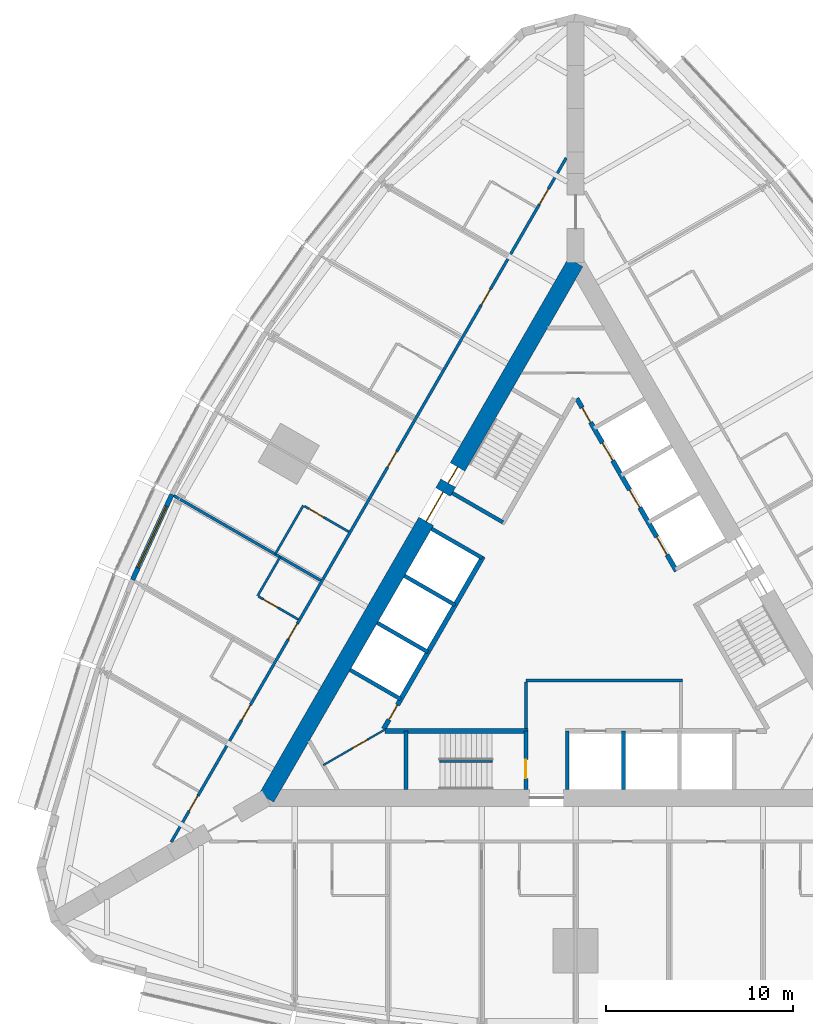
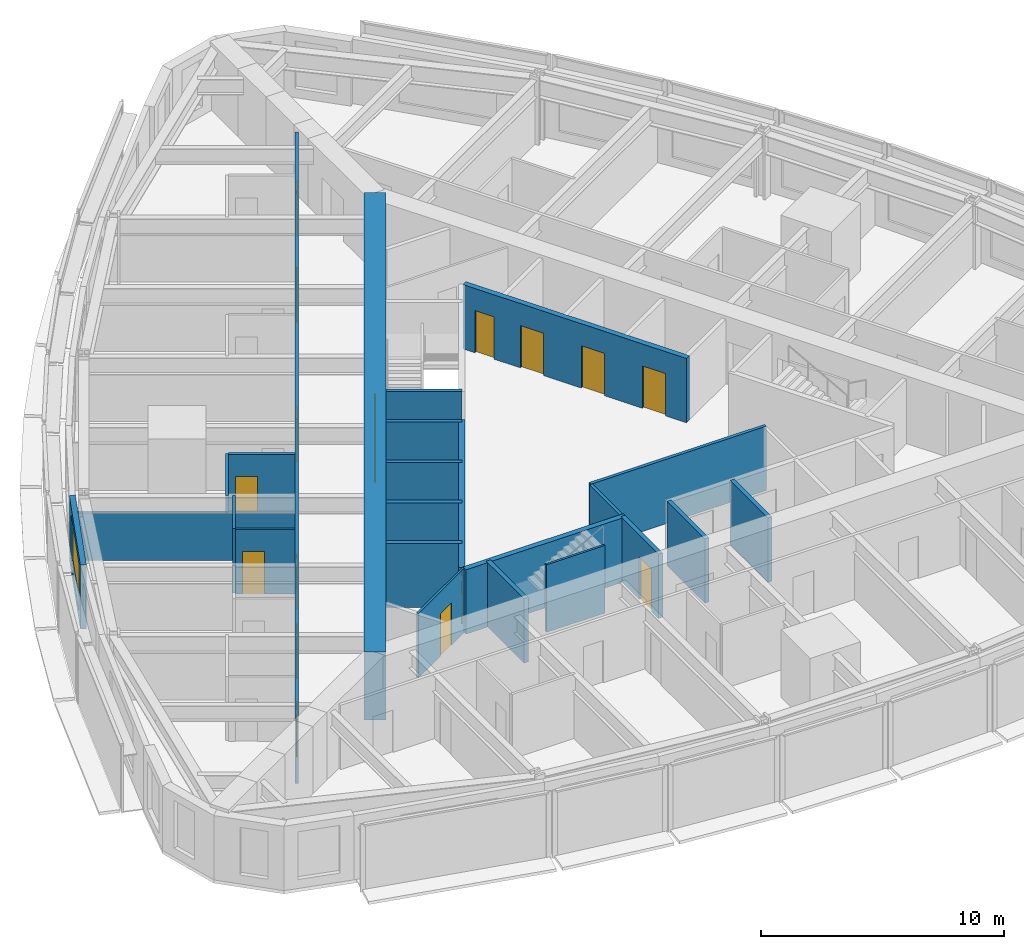
# One storey, part 9 of 14: 24 walls, 17 doors, 1 window, 18 openings.
"""IFC4 building model written with IfcOpenShell, lengths in metres."""

from ifc_helpers import new_model, si_unit, direction, frame, frame_2d, origin, place, context, subcontext, project, spatial, rectangle, extrude, material, layer, layer_set, type_object, element, fill, save


model = new_model("IFC4")

# Units and contexts
model_context = context("Model", 3, precision=1e-05, world=origin(), true_north=direction((0.0, 1.0)))
body_context = subcontext(model_context, "Body", "Model", "MODEL_VIEW")
ifc_project = project(units=[si_unit("LENGTHUNIT", "METRE"), si_unit("AREAUNIT", "SQUARE_METRE"), si_unit("VOLUMEUNIT", "CUBIC_METRE"), si_unit("PLANEANGLEUNIT", "RADIAN"), si_unit("MASSUNIT", "GRAM", prefix="KILO")], contexts=[model_context])

# Site, building, storey
site_placement = place(None, origin())
site = spatial("IfcSite", under=ifc_project, at=site_placement, CompositionType="ELEMENT")
building_placement = place(site_placement, origin())
building = spatial("IfcBuilding", under=site, at=building_placement, Name="Trikona Tower", CompositionType="ELEMENT")
storey_placement = place(building_placement, frame((0.0, 0.0, 96.5)))
storey = spatial("IfcBuildingStorey", under=building, at=storey_placement, Name="L25", CompositionType="ELEMENT", Elevation=96.5)

# Wall
ifc_material_1 = material(Name="Metal stud and cement board", Category="gypsum")
ifc_layer_1 = layer(ifc_material_1, 0.1201171875)
ifc_layer_set_1 = layer_set([ifc_layer_1], Name="Bathroom wall 120")
wall_type_1 = type_object("IfcWallType", Name="Bathroom wall 120", PredefinedType="PLUMBINGWALL", material=ifc_layer_set_1)
wall_1_placement = place(storey_placement, frame((-14.53271484375, 6.0810546875, 0.0), z_axis=(0.0, 0.0, 1.0), x_axis=(-0.499990139034, -0.866031096941, 0.0)))
element("IfcWall", 1, at=wall_1_placement, inside=storey, type_object=wall_type_1, Name="Bathroom wall 2511.1", PredefinedType="PLUMBINGWALL", context=body_context, shape_type="SweptSolid", body=[
    extrude(rectangle(XDim=3.0, YDim=0.1201171875, at=frame_2d((1.5, 0.0))), origin(), (0.0, 0.0, 1.0), 3.235107421875),
])

# Wall, opening, door
wall_2_placement = place(storey_placement, frame((-12.10791015625, 4.68115234375, 0.0), z_axis=(0.0, 0.0, 1.0), x_axis=(-0.866035715982, 0.499982138324, 0.0)))
wall_2 = element("IfcWall", 2, at=wall_2_placement, inside=storey, type_object=wall_type_1, Name="Bathroom wall 2511.1", PredefinedType="PLUMBINGWALL", context=body_context, shape_type="SweptSolid", body=[
    extrude(rectangle(XDim=2.73974609375, YDim=0.1201171875, at=frame_2d((1.369873046875, 0.0))), origin(), (0.0, 0.0, 1.0), 3.235107421875),
])
opening_1_placement = place(wall_2_placement, frame((1.550048828125, 0.0, 0.0)))
opening_1 = element("IfcOpeningElement", 3, at=opening_1_placement, cuts=wall_2, Name="Opening D2", PredefinedType="OPENING", context=body_context, shape_type="SweptSolid", body=[
    extrude(rectangle(XDim=0.89990234375, YDim=2.1298828125, at=frame_2d((0.449951171875, 1.06494140625))), frame((0.0, 0.070068359375, 0.0), z_axis=(0.0, -1.0, 0.0), x_axis=(1.0, 0.0, 0.0)), (0.0, 0.0, 1.0), 0.14013671875),
])
ifc_material_2 = material(Name="Steel door frame with solid-core timber leaf", Category="steel")
door_type_1 = type_object("IfcDoorType", Name="Bathroom door 900x2130", OperationType="SLIDING_TO_LEFT", PredefinedType="DOOR", material=ifc_material_2)
door_1_placement = place(opening_1_placement, origin())
door_1 = element("IfcDoor", 4, at=door_1_placement, inside=storey, type_object=door_type_1, Name="Bathroom door 2511.1", OperationType="SLIDING_TO_LEFT", OverallHeight=2.1298828125, OverallWidth=0.89990234375, PredefinedType="DOOR", context=body_context, shape_type="SweptSolid", body=[
    extrude(rectangle(XDim=0.89990234375, YDim=2.1298828125, at=frame_2d((0.449951171875, 1.06494140625))), frame((0.0, 0.02490234375, 0.0), z_axis=(0.0, -1.0, 0.0), x_axis=(1.0, 0.0, 0.0)), (0.0, 0.0, 1.0), 0.050048828125),
])
fill(opening_1, door_1)

# Wall
wall_3_placement = place(storey_placement, frame((-15.77294921875, 3.3330078125, 0.0), z_axis=(0.0, 0.0, 1.0), x_axis=(-0.500001309137, -0.866024647952, 0.0)))
element("IfcWall", 5, at=wall_3_placement, inside=storey, type_object=wall_type_1, Name="Bathroom wall 2512", PredefinedType="PLUMBINGWALL", context=body_context, shape_type="SweptSolid", body=[
    extrude(rectangle(XDim=2.39990234375, YDim=0.1201171875, at=frame_2d((1.199951171875, 0.0))), origin(), (0.0, 0.0, 1.0), 3.235107421875),
])

# Wall, opening, door
wall_4_placement = place(storey_placement, frame((-14.807861328125, 0.004638671875, 0.0), z_axis=(0.0, 0.0, 1.0), x_axis=(-0.866023955769, 0.500002508028, 0.0)))
wall_4 = element("IfcWall", 6, at=wall_4_placement, inside=storey, type_object=wall_type_1, Name="Bathroom wall 2512", PredefinedType="PLUMBINGWALL", context=body_context, shape_type="SweptSolid", body=[
    extrude(rectangle(XDim=2.43994140625, YDim=0.1201171875, at=frame_2d((1.219970703125, 0.0))), origin(), (0.0, 0.0, 1.0), 3.235107421875),
])
opening_2_placement = place(wall_4_placement, frame((1.25, 0.0, 0.0)))
opening_2 = element("IfcOpeningElement", 7, at=opening_2_placement, cuts=wall_4, Name="Opening D2", PredefinedType="OPENING", context=body_context, shape_type="SweptSolid", body=[
    extrude(rectangle(XDim=0.89990234375, YDim=2.1298828125, at=frame_2d((0.449951171875, 1.06494140625))), frame((0.0, 0.070068359375, 0.0), z_axis=(0.0, -1.0, 0.0), x_axis=(1.0, 0.0, 0.0)), (0.0, 0.0, 1.0), 0.14013671875),
])
door_2_placement = place(opening_2_placement, origin())
door_2 = element("IfcDoor", 8, at=door_2_placement, inside=storey, type_object=door_type_1, Name="Bathroom door 2512", OperationType="SLIDING_TO_LEFT", OverallHeight=2.1298828125, OverallWidth=0.89990234375, PredefinedType="DOOR", context=body_context, shape_type="SweptSolid", body=[
    extrude(rectangle(XDim=0.89990234375, YDim=2.1298828125, at=frame_2d((0.449951171875, 1.06494140625))), frame((0.0, 0.02490234375, 0.0), z_axis=(0.0, -1.0, 0.0), x_axis=(1.0, 0.0, 0.0)), (0.0, 0.0, 1.0), 0.050048828125),
])
fill(opening_2, door_2)

# Wall, openings, doors
ifc_material_3 = material(Name="Concrete f'c 10000 psi", Category="concrete")
ifc_layer_2 = layer(ifc_material_3, 0.89990234375)
ifc_layer_set_2 = layer_set([ifc_layer_2], Name="Core wall 900")
wall_type_2 = type_object("IfcWallType", Name="Core wall 900", PredefinedType="SHEAR", material=ifc_layer_set_2)
wall_5_placement = place(storey_placement, frame((0.0, 19.052490234375, 0.0), z_axis=(0.0, 0.0, 1.0), x_axis=(-0.499999749417, -0.866025548458, 0.0)))
wall_5 = element("IfcWall", 9, at=wall_5_placement, inside=storey, type_object=wall_type_2, Name="Core wall C", PredefinedType="SHEAR", context=body_context, shape_type="SweptSolid", body=[
    extrude(rectangle(XDim=33.0, YDim=0.89990234375, at=frame_2d((16.5, 0.0))), origin(), (0.0, 0.0, 1.0), 3.39990234375),
])
opening_3_placement = place(wall_5_placement, frame((14.14990234375, 0.0, 0.0)))
opening_3 = element("IfcOpeningElement", 10, at=opening_3_placement, cuts=wall_5, Name="Opening D6", PredefinedType="OPENING", context=body_context, shape_type="SweptSolid", body=[
    extrude(rectangle(XDim=1.800048828125, YDim=2.1298828125, at=frame_2d((0.89990234375, 1.06494140625))), frame((0.0, 0.4599609375, 0.0), z_axis=(0.0, -1.0, 0.0), x_axis=(1.0, 0.0, 0.0)), (0.0, 0.0, 1.0), 0.919921875),
])
opening_4_placement = place(wall_5_placement, frame((12.60009765625, 0.0, 0.0)))
opening_4 = element("IfcOpeningElement", 11, at=opening_4_placement, cuts=wall_5, Name="Opening D5", PredefinedType="OPENING", context=body_context, shape_type="SweptSolid", body=[
    extrude(rectangle(XDim=1.0, YDim=2.1298828125, at=frame_2d((0.5, 1.06494140625))), frame((0.0, 0.4599609375, 0.0), z_axis=(0.0, -1.0, 0.0), x_axis=(1.0, 0.0, 0.0)), (0.0, 0.0, 1.0), 0.919921875),
])
ifc_material_4 = material(Name="Hollow metal door and frame", Category="steel")
door_type_2 = type_object("IfcDoorType", Name="Lobby door pair 1800x2130", OperationType="DOUBLE_DOOR_SINGLE_SWING", PredefinedType="DOOR", material=ifc_material_4)
door_3_placement = place(opening_3_placement, origin())
door_3 = element("IfcDoor", 12, at=door_3_placement, inside=storey, type_object=door_type_2, Name="Lift lobby door C", OperationType="DOUBLE_DOOR_SINGLE_SWING", OverallHeight=2.1298828125, OverallWidth=1.800048828125, PredefinedType="DOOR", context=body_context, shape_type="SweptSolid", body=[
    extrude(rectangle(XDim=1.800048828125, YDim=2.1298828125, at=frame_2d((0.89990234375, 1.06494140625))), frame((0.0, 0.02490234375, 0.0), z_axis=(0.0, -1.0, 0.0), x_axis=(1.0, 0.0, 0.0)), (0.0, 0.0, 1.0), 0.050048828125),
])
fill(opening_3, door_3)
ifc_material_5 = material(Name="Hollow metal door and frame", Category="steel")
door_type_3 = type_object("IfcDoorType", Name="Stair door 1000x2130", OperationType="SINGLE_SWING_LEFT", PredefinedType="DOOR", material=ifc_material_5)
door_4_placement = place(opening_4_placement, origin())
door_4 = element("IfcDoor", 13, at=door_4_placement, inside=storey, type_object=door_type_3, Name="Stair C door", OperationType="SINGLE_SWING_RIGHT", OverallHeight=2.1298828125, OverallWidth=1.0, PredefinedType="DOOR", context=body_context, shape_type="SweptSolid", body=[
    extrude(rectangle(XDim=1.0, YDim=2.1298828125, at=frame_2d((0.5, 1.06494140625))), frame((0.0, 0.02490234375, 0.0), z_axis=(0.0, -1.0, 0.0), x_axis=(1.0, 0.0, 0.0)), (0.0, 0.0, 1.0), 0.050048828125),
])
fill(opening_4, door_4)

ifc_material_6 = material(Name="Metal stud and gypsum board, 1-hour", Category="gypsum")
ifc_layer_3 = layer(ifc_material_6, 0.14990234375)
ifc_layer_set_3 = layer_set([ifc_layer_3], Name="Corridor wall 150")
wall_type_3 = type_object("IfcWallType", Name="Corridor wall 150", PredefinedType="PARTITIONING", material=ifc_layer_set_3)
wall_6_placement = place(storey_placement, frame((-0.5, 24.636474609375, 0.0), z_axis=(0.0, 0.0, 1.0), x_axis=(-0.500001915564, -0.86602429783, 0.0)))
wall_6 = element("IfcWall", 14, at=wall_6_placement, inside=storey, type_object=wall_type_3, Name="Corridor wall L25-3", PredefinedType="PARTITIONING", context=body_context, shape_type="SweptSolid", body=[
    extrude(rectangle(XDim=42.171630859375, YDim=0.14990234375, at=frame_2d((21.0859375, 0.0))), origin(), (0.0, 0.0, 1.0), 3.235107421875),
])
opening_5_placement = place(wall_6_placement, frame((1.910888671875, 0.0, 0.0)))
opening_5 = element("IfcOpeningElement", 15, at=opening_5_placement, cuts=wall_6, Name="Opening D1", PredefinedType="OPENING", context=body_context, shape_type="SweptSolid", body=[
    extrude(rectangle(XDim=0.949951171875, YDim=2.1298828125, at=frame_2d((0.47509765625, 1.06494140625))), frame((0.0, 0.0849609375, 0.0), z_axis=(0.0, -1.0, 0.0), x_axis=(1.0, 0.0, 0.0)), (0.0, 0.0, 1.0), 0.169921875),
])
opening_6_placement = place(wall_6_placement, frame((8.11083984375, 0.0, 0.0)))
opening_6 = element("IfcOpeningElement", 16, at=opening_6_placement, cuts=wall_6, Name="Opening D1", PredefinedType="OPENING", context=body_context, shape_type="SweptSolid", body=[
    extrude(rectangle(XDim=0.949951171875, YDim=2.1298828125, at=frame_2d((0.47509765625, 1.06494140625))), frame((0.0, 0.0849609375, 0.0), z_axis=(0.0, -1.0, 0.0), x_axis=(1.0, 0.0, 0.0)), (0.0, 0.0, 1.0), 0.169921875),
])
opening_7_placement = place(wall_6_placement, frame((18.11083984375, 0.0, 0.0)))
opening_7 = element("IfcOpeningElement", 17, at=opening_7_placement, cuts=wall_6, Name="Opening D1", PredefinedType="OPENING", context=body_context, shape_type="SweptSolid", body=[
    extrude(rectangle(XDim=0.949951171875, YDim=2.1298828125, at=frame_2d((0.47509765625, 1.06494140625))), frame((0.0, 0.0849609375, 0.0), z_axis=(0.0, -1.0, 0.0), x_axis=(1.0, 0.0, 0.0)), (0.0, 0.0, 1.0), 0.169921875),
])
opening_8_placement = place(wall_6_placement, frame((28.7109375, 0.0, 0.0)))
opening_8 = element("IfcOpeningElement", 18, at=opening_8_placement, cuts=wall_6, Name="Opening D1", PredefinedType="OPENING", context=body_context, shape_type="SweptSolid", body=[
    extrude(rectangle(XDim=0.949951171875, YDim=2.1298828125, at=frame_2d((0.47509765625, 1.06494140625))), frame((0.0, 0.0849609375, 0.0), z_axis=(0.0, -1.0, 0.0), x_axis=(1.0, 0.0, 0.0)), (0.0, 0.0, 1.0), 0.169921875),
])
opening_9_placement = place(wall_6_placement, frame((33.7109375, 0.0, 0.0)))
opening_9 = element("IfcOpeningElement", 19, at=opening_9_placement, cuts=wall_6, Name="Opening D1", PredefinedType="OPENING", context=body_context, shape_type="SweptSolid", body=[
    extrude(rectangle(XDim=0.949951171875, YDim=2.1298828125, at=frame_2d((0.47509765625, 1.06494140625))), frame((0.0, 0.0849609375, 0.0), z_axis=(0.0, -1.0, 0.0), x_axis=(1.0, 0.0, 0.0)), (0.0, 0.0, 1.0), 0.169921875),
])
opening_10_placement = place(wall_6_placement, frame((39.310791015625, 0.0, 0.0)))
opening_10 = element("IfcOpeningElement", 20, at=opening_10_placement, cuts=wall_6, Name="Opening D1", PredefinedType="OPENING", context=body_context, shape_type="SweptSolid", body=[
    extrude(rectangle(XDim=0.949951171875, YDim=2.1298828125, at=frame_2d((0.47509765625, 1.06494140625))), frame((0.0, 0.0849609375, 0.0), z_axis=(0.0, -1.0, 0.0), x_axis=(1.0, 0.0, 0.0)), (0.0, 0.0, 1.0), 0.169921875),
])
ifc_material_7 = material(Name="Steel door frame with solid-core timber leaf", Category="steel")
door_type_4 = type_object("IfcDoorType", Name="Guest room door 950x2130", OperationType="SINGLE_SWING_LEFT", PredefinedType="DOOR", material=ifc_material_7)
door_5_placement = place(opening_5_placement, origin())
door_5 = element("IfcDoor", 21, at=door_5_placement, inside=storey, type_object=door_type_4, Name="Room door 2509", OperationType="SINGLE_SWING_LEFT", OverallHeight=2.1298828125, OverallWidth=0.949951171875, PredefinedType="DOOR", context=body_context, shape_type="SweptSolid", body=[
    extrude(rectangle(XDim=0.949951171875, YDim=2.1298828125, at=frame_2d((0.47509765625, 1.06494140625))), frame((0.0, 0.02490234375, 0.0), z_axis=(0.0, -1.0, 0.0), x_axis=(1.0, 0.0, 0.0)), (0.0, 0.0, 1.0), 0.050048828125),
])
fill(opening_5, door_5)
door_6_placement = place(opening_6_placement, origin())
door_6 = element("IfcDoor", 22, at=door_6_placement, inside=storey, type_object=door_type_4, Name="Room door 2510", OperationType="SINGLE_SWING_RIGHT", OverallHeight=2.1298828125, OverallWidth=0.949951171875, PredefinedType="DOOR", context=body_context, shape_type="SweptSolid", body=[
    extrude(rectangle(XDim=0.949951171875, YDim=2.1298828125, at=frame_2d((0.47509765625, 1.06494140625))), frame((0.0, 0.02490234375, 0.0), z_axis=(0.0, -1.0, 0.0), x_axis=(1.0, 0.0, 0.0)), (0.0, 0.0, 1.0), 0.050048828125),
])
fill(opening_6, door_6)
door_7_placement = place(opening_7_placement, origin())
door_7 = element("IfcDoor", 23, at=door_7_placement, inside=storey, type_object=door_type_4, Name="Room door 2511", OperationType="SINGLE_SWING_LEFT", OverallHeight=2.1298828125, OverallWidth=0.949951171875, PredefinedType="DOOR", context=body_context, shape_type="SweptSolid", body=[
    extrude(rectangle(XDim=0.949951171875, YDim=2.1298828125, at=frame_2d((0.47509765625, 1.06494140625))), frame((0.0, 0.02490234375, 0.0), z_axis=(0.0, -1.0, 0.0), x_axis=(1.0, 0.0, 0.0)), (0.0, 0.0, 1.0), 0.050048828125),
])
fill(opening_7, door_7)
door_8_placement = place(opening_8_placement, origin())
door_8 = element("IfcDoor", 24, at=door_8_placement, inside=storey, type_object=door_type_4, Name="Room door 2512", OperationType="SINGLE_SWING_RIGHT", OverallHeight=2.1298828125, OverallWidth=0.949951171875, PredefinedType="DOOR", context=body_context, shape_type="SweptSolid", body=[
    extrude(rectangle(XDim=0.949951171875, YDim=2.1298828125, at=frame_2d((0.47509765625, 1.06494140625))), frame((0.0, 0.02490234375, 0.0), z_axis=(0.0, -1.0, 0.0), x_axis=(1.0, 0.0, 0.0)), (0.0, 0.0, 1.0), 0.050048828125),
])
fill(opening_8, door_8)
door_9_placement = place(opening_9_placement, origin())
door_9 = element("IfcDoor", 25, at=door_9_placement, inside=storey, type_object=door_type_4, Name="Room door 2513", OperationType="SINGLE_SWING_LEFT", OverallHeight=2.1298828125, OverallWidth=0.949951171875, PredefinedType="DOOR", context=body_context, shape_type="SweptSolid", body=[
    extrude(rectangle(XDim=0.949951171875, YDim=2.1298828125, at=frame_2d((0.47509765625, 1.06494140625))), frame((0.0, 0.02490234375, 0.0), z_axis=(0.0, -1.0, 0.0), x_axis=(1.0, 0.0, 0.0)), (0.0, 0.0, 1.0), 0.050048828125),
])
fill(opening_9, door_9)
door_10_placement = place(opening_10_placement, origin())
door_10 = element("IfcDoor", 26, at=door_10_placement, inside=storey, type_object=door_type_4, Name="Room door 2514", OperationType="SINGLE_SWING_RIGHT", OverallHeight=2.1298828125, OverallWidth=0.949951171875, PredefinedType="DOOR", context=body_context, shape_type="SweptSolid", body=[
    extrude(rectangle(XDim=0.949951171875, YDim=2.1298828125, at=frame_2d((0.47509765625, 1.06494140625))), frame((0.0, 0.02490234375, 0.0), z_axis=(0.0, -1.0, 0.0), x_axis=(1.0, 0.0, 0.0)), (0.0, 0.0, 1.0), 0.050048828125),
])
fill(opening_10, door_10)

# Wall
ifc_material_8 = material(Name="Concrete f'c 8000 psi", Category="concrete")
ifc_layer_4 = layer(ifc_material_8, 0.25)
ifc_layer_set_4 = layer_set([ifc_layer_4], Name="Hub wall 250")
wall_type_4 = type_object("IfcWallType", Name="Hub wall 250", PredefinedType="SOLIDWALL", material=ifc_layer_set_4)
wall_7_placement = place(storey_placement, frame((-10.182861328125, -5.951416015625, 0.0), z_axis=(0.0, 0.0, 1.0), x_axis=(1.0, 0.0, 0.0)))
element("IfcWall", 27, at=wall_7_placement, inside=storey, type_object=wall_type_4, Name="Lift lobby wall A1", PredefinedType="SOLIDWALL", context=body_context, shape_type="SweptSolid", body=[
    extrude(rectangle(XDim=7.6328125, YDim=0.25, at=frame_2d((3.81640625, 0.0))), origin(), (0.0, 0.0, 1.0), 3.235107421875),
])

# Wall, openings, doors
wall_8_placement = place(storey_placement, frame((5.37890625, 2.5859375, 0.0), z_axis=(0.0, 0.0, 1.0), x_axis=(-0.500001375892, 0.866024609411, 0.0)))
wall_8 = element("IfcWall", 28, at=wall_8_placement, inside=storey, type_object=wall_type_4, Name="Lift lobby wall B2", PredefinedType="SOLIDWALL", context=body_context, shape_type="SweptSolid", body=[
    extrude(rectangle(XDim=10.6328125, YDim=0.25, at=frame_2d((5.31640625, 0.0))), origin(), (0.0, 0.0, 1.0), 3.235107421875),
])
opening_11_placement = place(wall_8_placement, frame((9.1640625, 0.0, 0.0)))
opening_11 = element("IfcOpeningElement", 29, at=opening_11_placement, cuts=wall_8, Name="Opening D14", PredefinedType="OPENING", context=body_context, shape_type="SweptSolid", body=[
    extrude(rectangle(XDim=0.89990234375, YDim=2.1298828125, at=frame_2d((0.449951171875, 1.06494140625))), frame((0.0, 0.135009765625, 0.0), z_axis=(0.0, -1.0, 0.0), x_axis=(1.0, 0.0, 0.0)), (0.0, 0.0, 1.0), 0.27001953125),
])
opening_12_placement = place(wall_8_placement, frame((1.0, 0.0, 0.0)))
opening_12 = element("IfcOpeningElement", 30, at=opening_12_placement, cuts=wall_8, Name="Opening LD", PredefinedType="OPENING", context=body_context, shape_type="SweptSolid", body=[
    extrude(rectangle(XDim=1.10009765625, YDim=2.1298828125, at=frame_2d((0.550048828125, 1.06494140625))), frame((0.0, 0.135009765625, 0.0), z_axis=(0.0, -1.0, 0.0), x_axis=(1.0, 0.0, 0.0)), (0.0, 0.0, 1.0), 0.27001953125),
])
opening_13_placement = place(wall_8_placement, frame((3.89990234375, 0.0, 0.0)))
opening_13 = element("IfcOpeningElement", 31, at=opening_13_placement, cuts=wall_8, Name="Opening LD", PredefinedType="OPENING", context=body_context, shape_type="SweptSolid", body=[
    extrude(rectangle(XDim=1.10009765625, YDim=2.1298828125, at=frame_2d((0.550048828125, 1.06494140625))), frame((0.0, 0.135009765625, 0.0), z_axis=(0.0, -1.0, 0.0), x_axis=(1.0, 0.0, 0.0)), (0.0, 0.0, 1.0), 0.27001953125),
])
opening_14_placement = place(wall_8_placement, frame((6.800048828125, 0.0, 0.0)))
opening_14 = element("IfcOpeningElement", 32, at=opening_14_placement, cuts=wall_8, Name="Opening LD", PredefinedType="OPENING", context=body_context, shape_type="SweptSolid", body=[
    extrude(rectangle(XDim=1.10009765625, YDim=2.1298828125, at=frame_2d((0.550048828125, 1.06494140625))), frame((0.0, 0.135009765625, 0.0), z_axis=(0.0, -1.0, 0.0), x_axis=(1.0, 0.0, 0.0)), (0.0, 0.0, 1.0), 0.27001953125),
])
ifc_material_9 = material(Name="Stainless steel lift landing door", Category="steel")
door_type_5 = type_object("IfcDoorType", Name="Lift landing door 1100x2130", OperationType="DOUBLE_DOOR_SLIDING", PredefinedType="USERDEFINED", material=ifc_material_9)
door_11_placement = place(opening_12_placement, origin())
door_11 = element("IfcDoor", 33, at=door_11_placement, inside=storey, type_object=door_type_5, Name="Lift landing door L1-1", ObjectType="LIFT LANDING DOOR", OperationType="DOUBLE_DOOR_SLIDING", OverallHeight=2.1298828125, OverallWidth=1.10009765625, PredefinedType="USERDEFINED", context=body_context, shape_type="SweptSolid", body=[
    extrude(rectangle(XDim=1.10009765625, YDim=2.1298828125, at=frame_2d((0.550048828125, 1.06494140625))), frame((0.0, 0.02490234375, 0.0), z_axis=(0.0, -1.0, 0.0), x_axis=(1.0, 0.0, 0.0)), (0.0, 0.0, 1.0), 0.050048828125),
])
fill(opening_12, door_11)
door_12_placement = place(opening_13_placement, origin())
door_12 = element("IfcDoor", 34, at=door_12_placement, inside=storey, type_object=door_type_5, Name="Lift landing door L1-2", ObjectType="LIFT LANDING DOOR", OperationType="DOUBLE_DOOR_SLIDING", OverallHeight=2.1298828125, OverallWidth=1.10009765625, PredefinedType="USERDEFINED", context=body_context, shape_type="SweptSolid", body=[
    extrude(rectangle(XDim=1.10009765625, YDim=2.1298828125, at=frame_2d((0.550048828125, 1.06494140625))), frame((0.0, 0.02490234375, 0.0), z_axis=(0.0, -1.0, 0.0), x_axis=(1.0, 0.0, 0.0)), (0.0, 0.0, 1.0), 0.050048828125),
])
fill(opening_13, door_12)
door_13_placement = place(opening_14_placement, origin())
door_13 = element("IfcDoor", 35, at=door_13_placement, inside=storey, type_object=door_type_5, Name="Lift landing door L1-3", ObjectType="LIFT LANDING DOOR", OperationType="DOUBLE_DOOR_SLIDING", OverallHeight=2.1298828125, OverallWidth=1.10009765625, PredefinedType="USERDEFINED", context=body_context, shape_type="SweptSolid", body=[
    extrude(rectangle(XDim=1.10009765625, YDim=2.1298828125, at=frame_2d((0.550048828125, 1.06494140625))), frame((0.0, 0.02490234375, 0.0), z_axis=(0.0, -1.0, 0.0), x_axis=(1.0, 0.0, 0.0)), (0.0, 0.0, 1.0), 0.050048828125),
])
fill(opening_14, door_13)
ifc_material_10 = material(Name="Hollow metal door and frame", Category="steel")
door_type_6 = type_object("IfcDoorType", Name="Service room door 900x2130", OperationType="SINGLE_SWING_LEFT", PredefinedType="DOOR", material=ifc_material_10)
door_14_placement = place(opening_11_placement, origin())
door_14 = element("IfcDoor", 36, at=door_14_placement, inside=storey, type_object=door_type_6, Name="Door Ice and vending ICE", OperationType="SINGLE_SWING_RIGHT", OverallHeight=2.1298828125, OverallWidth=0.89990234375, PredefinedType="DOOR", context=body_context, shape_type="SweptSolid", body=[
    extrude(rectangle(XDim=0.89990234375, YDim=2.1298828125, at=frame_2d((0.449951171875, 1.06494140625))), frame((0.0, 0.02490234375, 0.0), z_axis=(0.0, -1.0, 0.0), x_axis=(1.0, 0.0, 0.0)), (0.0, 0.0, 1.0), 0.050048828125),
])
fill(opening_11, door_14)

# Wall, opening, door
wall_9_placement = place(storey_placement, frame((-4.928955078125, 3.365478515625, 0.0), z_axis=(0.0, 0.0, 1.0), x_axis=(-0.499991433582, -0.866030349552, 0.0)))
wall_9 = element("IfcWall", 37, at=wall_9_placement, inside=storey, type_object=wall_type_4, Name="Lift lobby wall C2", PredefinedType="SOLIDWALL", context=body_context, shape_type="SweptSolid", body=[
    extrude(rectangle(XDim=10.633056640625, YDim=0.25, at=frame_2d((5.31640625, 0.0))), origin(), (0.0, 0.0, 1.0), 3.235107421875),
])
opening_15_placement = place(wall_9_placement, frame((9.1640625, 0.0, 0.0)))
opening_15 = element("IfcOpeningElement", 38, at=opening_15_placement, cuts=wall_9, Name="Opening D14", PredefinedType="OPENING", context=body_context, shape_type="SweptSolid", body=[
    extrude(rectangle(XDim=0.89990234375, YDim=2.1298828125, at=frame_2d((0.449951171875, 1.06494140625))), frame((0.0, 0.135009765625, 0.0), z_axis=(0.0, -1.0, 0.0), x_axis=(1.0, 0.0, 0.0)), (0.0, 0.0, 1.0), 0.27001953125),
])
door_15_placement = place(opening_15_placement, origin())
door_15 = element("IfcDoor", 39, at=door_15_placement, inside=storey, type_object=door_type_6, Name="Door Linen store LIN", OperationType="SINGLE_SWING_RIGHT", OverallHeight=2.1298828125, OverallWidth=0.89990234375, PredefinedType="DOOR", context=body_context, shape_type="SweptSolid", body=[
    extrude(rectangle(XDim=0.89990234375, YDim=2.1298828125, at=frame_2d((0.449951171875, 1.06494140625))), frame((0.0, 0.02490234375, 0.0), z_axis=(0.0, -1.0, 0.0), x_axis=(1.0, 0.0, 0.0)), (0.0, 0.0, 1.0), 0.050048828125),
])
fill(opening_15, door_15)

# Wall, opening, window
ifc_material_11 = material(Name="Insulated precast concrete spandrel panel", Category="concrete")
ifc_layer_5 = layer(ifc_material_11, 0.25)
ifc_layer_set_5 = layer_set([ifc_layer_5], Name="Inner skin wall 250")
wall_type_5 = type_object("IfcWallType", Name="Inner skin wall 250", PredefinedType="STANDARD", material=ifc_layer_set_5)
wall_10_placement = place(storey_placement, frame((-21.543212890625, 6.677734375, 0.0), z_axis=(0.0, 0.0, 1.0), x_axis=(-0.419203100754, -0.907892482796, 0.0)))
wall_10 = element("IfcWall", 40, at=wall_10_placement, inside=storey, type_object=wall_type_5, Name="External wall L25-29", PredefinedType="STANDARD", context=body_context, shape_type="SweptSolid", body=[
    extrude(rectangle(XDim=5.020751953125, YDim=0.25, at=frame_2d((2.51025390625, 0.0))), origin(), (0.0, 0.0, 1.0), 3.235107421875),
])
opening_16_placement = place(wall_10_placement, frame((0.71044921875, 0.0, 0.449951171875)))
opening_16 = element("IfcOpeningElement", 41, at=opening_16_placement, cuts=wall_10, Name="Opening W3624", PredefinedType="OPENING", context=body_context, shape_type="SweptSolid", body=[
    extrude(rectangle(XDim=3.60009765625, YDim=2.39990234375, at=frame_2d((1.800048828125, 1.199951171875))), frame((0.0, 0.135009765625, 0.0), z_axis=(0.0, -1.0, 0.0), x_axis=(1.0, 0.0, 0.0)), (0.0, 0.0, 1.0), 0.27001953125),
])
ifc_material_12 = material(Name="Aluminium-framed double glazing", Category="aluminium")
window_type = type_object("IfcWindowType", Name="Window 3600x2400", PartitioningType="SINGLE_PANEL", PredefinedType="WINDOW", material=ifc_material_12)
window_placement = place(opening_16_placement, origin())
window = element("IfcWindow", 42, at=window_placement, inside=storey, type_object=window_type, Name="Window 2512", OverallHeight=2.39990234375, OverallWidth=3.60009765625, PartitioningType="SINGLE_PANEL", PredefinedType="WINDOW", context=body_context, shape_type="SweptSolid", body=[
    extrude(rectangle(XDim=3.60009765625, YDim=2.39990234375, at=frame_2d((1.800048828125, 1.199951171875))), frame((0.0, 0.030029296875, 0.0), z_axis=(0.0, -1.0, 0.0), x_axis=(1.0, 0.0, 0.0)), (0.0, 0.0, 1.0), 0.06005859375),
])
fill(opening_16, window)

# Walls
ifc_material_13 = material(Name="Metal stud and gypsum board, 2-hour shaft wall", Category="gypsum")
ifc_layer_6 = layer(ifc_material_13, 0.14990234375)
ifc_layer_set_6 = layer_set([ifc_layer_6], Name="Lobby wall 150")
wall_type_6 = type_object("IfcWallType", Name="Lobby wall 150", PredefinedType="PARTITIONING", material=ifc_layer_set_6)
wall_11_placement = place(storey_placement, frame((-2.64990234375, -3.251220703125, 0.0), z_axis=(0.0, 0.0, 1.0), x_axis=(1.0, 0.0, 0.0)))
element("IfcWall", 43, at=wall_11_placement, inside=storey, type_object=wall_type_6, Name="Fire service lift lobby wall 1", PredefinedType="PARTITIONING", context=body_context, shape_type="SweptSolid", body=[
    extrude(rectangle(XDim=8.349853515625, YDim=0.14990234375, at=frame_2d((4.1748046875, 0.0))), origin(), (0.0, 0.0, 1.0), 3.235107421875),
])
wall_12_placement = place(storey_placement, frame((-2.64990234375, -5.826416015625, 0.0), z_axis=(0.0, 0.0, 1.0), x_axis=(0.0, 1.0, 0.0)))
element("IfcWall", 44, at=wall_12_placement, inside=storey, type_object=wall_type_6, Name="Fire service lift lobby wall 2", PredefinedType="PARTITIONING", context=body_context, shape_type="SweptSolid", body=[
    extrude(rectangle(XDim=2.5, YDim=0.14990234375, at=frame_2d((1.25, 0.0))), origin(), (0.0, 0.0, 1.0), 3.235107421875),
])
ifc_material_14 = material(Name="Metal stud and gypsum board, 1-hour acoustic", Category="gypsum")
ifc_layer_7 = layer(ifc_material_14, 0.14990234375)
ifc_layer_set_7 = layer_set([ifc_layer_7], Name="Party wall 150")
wall_type_7 = type_object("IfcWallType", Name="Party wall 150", PredefinedType="PARTITIONING", material=ifc_layer_set_7)
wall_13_placement = place(storey_placement, frame((-13.60791015625, 2.0830078125, 0.0), z_axis=(0.0, 0.0, 1.0), x_axis=(-0.866028232062, 0.499995101247, 0.0)))
element("IfcWall", 45, at=wall_13_placement, inside=storey, type_object=wall_type_7, Name="Partition L25 F3 u5", PredefinedType="PARTITIONING", context=body_context, shape_type="SweptSolid", body=[
    extrude(rectangle(XDim=9.04296875, YDim=0.14990234375, at=frame_2d((4.521484375, 0.0))), origin(), (0.0, 0.0, 1.0), 2.38916015625),
])
ifc_material_15 = material(Name="Concrete f'c 8000 psi", Category="concrete")
ifc_layer_8 = layer(ifc_material_15, 0.199951171875)
ifc_layer_set_8 = layer_set([ifc_layer_8], Name="Shaft wall 200")
wall_type_8 = type_object("IfcWallType", Name="Shaft wall 200", PredefinedType="SOLIDWALL", material=ifc_layer_set_8)
for number, where, z_axis, x_axis, name in (
    (46, (-0.449951171875, -5.951416015625, 0.0), (0.0, 0.0, 1.0), (0.0, -1.0, 0.0), "Shaft wall A3"),
    (47, (2.550048828125, -5.951416015625, 0.0), (0.0, 0.0, 1.0), (0.0, -1.0, 0.0), "Shaft wall A4"),
    (48, (-4.97900390625, 3.27880859375, 0.0), (0.0, 0.0, 1.0), (-0.866022959057, 0.500004234368, 0.0), "Shaft wall C3"),
    (49, (-6.428955078125, 0.767333984375, 0.0), (0.0, 0.0, 1.0), (-0.866022959057, 0.500004234368, 0.0), "Shaft wall C4"),
    (50, (-7.87890625, -1.744140625, 0.0), (0.0, 0.0, 1.0), (-0.866022959057, 0.500004234368, 0.0), "Shaft wall C5"),
    (51, (-9.3291015625, -4.255615234375, 0.0), (0.0, 0.0, 1.0), (-0.866022959057, 0.500004234368, 0.0), "Shaft wall C6"),
):
    element("IfcWall", number, at=place(storey_placement, frame(where, z_axis=z_axis, x_axis=x_axis)), inside=storey, type_object=wall_type_8, Name=name, PredefinedType="SOLIDWALL", context=body_context, shape_type="SweptSolid", body=[
        extrude(rectangle(XDim=3.125, YDim=0.199951171875, at=frame_2d((1.5625, 0.0))), origin(), (0.0, 0.0, 1.0), 3.235107421875),
    ])
ifc_material_16 = material(Name="Concrete f'c 8000 psi", Category="concrete")
ifc_layer_9 = layer(ifc_material_16, 0.199951171875)
ifc_layer_set_9 = layer_set([ifc_layer_9], Name="Shaft wall 200 load-bearing")
wall_type_9 = type_object("IfcWallType", Name="Shaft wall 200 load-bearing", PredefinedType="SOLIDWALL", material=ifc_layer_set_9)
wall_14_placement = place(storey_placement, frame((-9.050048828125, -5.951416015625, 0.0), z_axis=(0.0, 0.0, 1.0), x_axis=(0.0, -1.0, 0.0)))
element("IfcWall", 52, at=wall_14_placement, inside=storey, type_object=wall_type_9, Name="Shaft wall A1", PredefinedType="SOLIDWALL", context=body_context, shape_type="SweptSolid", body=[
    extrude(rectangle(XDim=3.125, YDim=0.199951171875, at=frame_2d((1.5625, 0.0))), origin(), (0.0, 0.0, 1.0), 3.235107421875),
])

# Wall, opening, door
wall_15_placement = place(storey_placement, frame((-2.64990234375, -5.951416015625, 0.0), z_axis=(0.0, 0.0, 1.0), x_axis=(0.0, -1.0, 0.0)))
wall_15 = element("IfcWall", 53, at=wall_15_placement, inside=storey, type_object=wall_type_9, Name="Shaft wall A2", PredefinedType="SOLIDWALL", context=body_context, shape_type="SweptSolid", body=[
    extrude(rectangle(XDim=3.125, YDim=0.199951171875, at=frame_2d((1.5625, 0.0))), origin(), (0.0, 0.0, 1.0), 3.235107421875),
])
opening_17_placement = place(wall_15_placement, frame((1.52490234375, 0.0, 0.0)))
opening_17 = element("IfcOpeningElement", 54, at=opening_17_placement, cuts=wall_15, Name="Opening D5", PredefinedType="OPENING", context=body_context, shape_type="SweptSolid", body=[
    extrude(rectangle(XDim=1.0, YDim=2.1298828125, at=frame_2d((0.5, 1.06494140625))), frame((0.0, 0.10986328125, 0.0), z_axis=(0.0, -1.0, 0.0), x_axis=(1.0, 0.0, 0.0)), (0.0, 0.0, 1.0), 0.219970703125),
])
door_16_placement = place(opening_17_placement, origin())
door_16 = element("IfcDoor", 55, at=door_16_placement, inside=storey, type_object=door_type_3, Name="Stair A door", OperationType="SINGLE_SWING_RIGHT", OverallHeight=2.1298828125, OverallWidth=1.0, PredefinedType="DOOR", context=body_context, shape_type="SweptSolid", body=[
    extrude(rectangle(XDim=1.0, YDim=2.1298828125, at=frame_2d((0.5, 1.06494140625))), frame((0.0, 0.02490234375, 0.0), z_axis=(0.0, -1.0, 0.0), x_axis=(1.0, 0.0, 0.0)), (0.0, 0.0, 1.0), 0.050048828125),
])
fill(opening_17, door_16)

# Walls
wall_16_placement = place(storey_placement, frame((-3.87890625, 5.18408203125, 0.0), z_axis=(0.0, 0.0, 1.0), x_axis=(-0.866022959057, 0.500004234368, 0.0)))
element("IfcWall", 56, at=wall_16_placement, inside=storey, type_object=wall_type_9, Name="Shaft wall C2", PredefinedType="SOLIDWALL", context=body_context, shape_type="SweptSolid", body=[
    extrude(rectangle(XDim=3.125, YDim=0.199951171875, at=frame_2d((1.5625, 0.0))), origin(), (0.0, 0.0, 1.0), 3.235107421875),
])
ifc_material_17 = material(Name="Concrete f'c 5000 psi", Category="concrete")
ifc_layer_10 = layer(ifc_material_17, 0.10009765625)
ifc_layer_set_10 = layer_set([ifc_layer_10], Name="Stair spine wall 100")
wall_type_10 = type_object("IfcWallType", Name="Stair spine wall 100", PredefinedType="SOLIDWALL", material=ifc_layer_set_10)
wall_17_placement = place(storey_placement, frame((-7.2470703125, -7.576416015625, 0.0), z_axis=(0.0, 0.0, 1.0), x_axis=(1.0, 0.0, 0.0)))
element("IfcWall", 57, at=wall_17_placement, inside=storey, type_object=wall_type_10, Name="Stair A spine wall L25", PredefinedType="SOLIDWALL", context=body_context, shape_type="SweptSolid", body=[
    extrude(rectangle(XDim=2.794189453125, YDim=0.10009765625, at=frame_2d((1.39697265625, 0.0))), origin(), (0.0, 0.0, 1.0), 3.39990234375),
])

# Wall, opening, door
ifc_material_18 = material(Name="Metal stud and gypsum board, acoustic", Category="gypsum")
ifc_layer_11 = layer(ifc_material_18, 0.10009765625)
ifc_layer_set_11 = layer_set([ifc_layer_11], Name="Suite partition 100")
wall_type_11 = type_object("IfcWallType", Name="Suite partition 100", PredefinedType="PARTITIONING", material=ifc_layer_set_11)
wall_18_placement = place(storey_placement, frame((-13.468994140625, -7.7763671875, 0.0), z_axis=(0.0, 0.0, 1.0), x_axis=(0.866021898093, 0.500006071987, 0.0)))
wall_18 = element("IfcWall", 58, at=wall_18_placement, inside=storey, type_object=wall_type_11, Name="Store partition L25-RS3", PredefinedType="PARTITIONING", context=body_context, shape_type="SweptSolid", body=[
    extrude(rectangle(XDim=3.775390625, YDim=0.10009765625, at=frame_2d((1.8876953125, 0.0))), origin(), (0.0, 0.0, 1.0), 3.235107421875),
])
opening_18_placement = place(wall_18_placement, frame((1.815185546875, 0.0, 0.0)))
opening_18 = element("IfcOpeningElement", 59, at=opening_18_placement, cuts=wall_18, Name="Opening D15", PredefinedType="OPENING", context=body_context, shape_type="SweptSolid", body=[
    extrude(rectangle(XDim=0.89990234375, YDim=2.1298828125, at=frame_2d((0.449951171875, 1.06494140625))), frame((0.0, 0.06005859375, 0.0), z_axis=(0.0, -1.0, 0.0), x_axis=(1.0, 0.0, 0.0)), (0.0, 0.0, 1.0), 0.1201171875),
])
ifc_material_19 = material(Name="Steel door frame with solid-core timber leaf", Category="steel")
door_type_7 = type_object("IfcDoorType", Name="Store door 900x2130", OperationType="SINGLE_SWING_LEFT", PredefinedType="DOOR", material=ifc_material_19)
door_17_placement = place(opening_18_placement, origin())
door_17 = element("IfcDoor", 60, at=door_17_placement, inside=storey, type_object=door_type_7, Name="Door Minibar store MBS", OperationType="SINGLE_SWING_RIGHT", OverallHeight=2.1298828125, OverallWidth=0.89990234375, PredefinedType="DOOR", context=body_context, shape_type="SweptSolid", body=[
    extrude(rectangle(XDim=0.89990234375, YDim=2.1298828125, at=frame_2d((0.449951171875, 1.06494140625))), frame((0.0, 0.02490234375, 0.0), z_axis=(0.0, -1.0, 0.0), x_axis=(1.0, 0.0, 0.0)), (0.0, 0.0, 1.0), 0.050048828125),
])
fill(opening_18, door_17)

save(model, "model.ifc")
